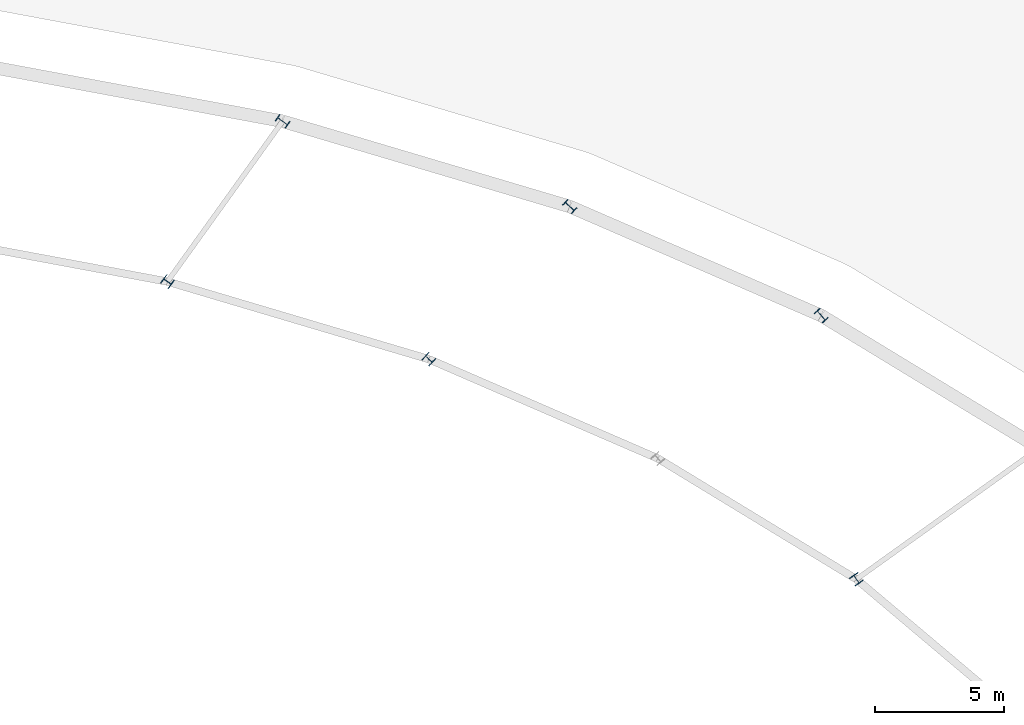
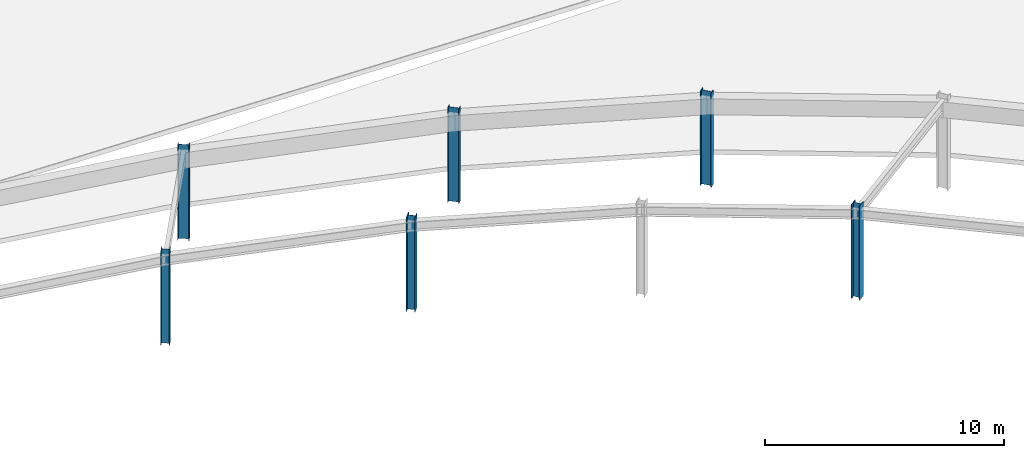
# One storey, part 11 of 45: 6 columns.
"""IFC4 building model written with IfcOpenShell, lengths in metres."""

from ifc_helpers import new_model, si_unit, direction, frame, origin, origin_2d, place, context, subcontext, project, spatial, i_section, extrude, material, material_profile, profile_set, type_object, element, save


model = new_model("IFC4")

# Units and contexts
model_context = context("Model", 3, precision=1e-05, world=origin(), true_north=direction((0.0, 1.0)))
body_context = subcontext(model_context, "Body", "Model", "MODEL_VIEW")
ifc_project = project(units=[si_unit("LENGTHUNIT", "METRE"), si_unit("AREAUNIT", "SQUARE_METRE"), si_unit("VOLUMEUNIT", "CUBIC_METRE"), si_unit("PLANEANGLEUNIT", "RADIAN"), si_unit("MASSUNIT", "GRAM", prefix="KILO")], contexts=[model_context])

# Site, building, storey
site_placement = place(None, origin())
site = spatial("IfcSite", under=ifc_project, at=site_placement, CompositionType="ELEMENT")
building_placement = place(site_placement, origin())
building = spatial("IfcBuilding", under=site, at=building_placement, Name="Mphavela Belvedere Stadium", CompositionType="ELEMENT")
storey_placement = place(building_placement, frame((0.0, 0.0, 24.0)))
storey = spatial("IfcBuildingStorey", under=building, at=storey_placement, Name="L05", CompositionType="ELEMENT", Elevation=24.0)

# Columns
ifc_material_1 = material(Name="Steel S355", Category="steel")
ifc_material_profile_1 = material_profile(ifc_material_1, i_section(OverallWidth=0.39501953125, OverallDepth=0.3798828125, WebThickness=0.0166015625, FlangeThickness=0.02587890625, at=origin_2d()), Name="HD 400x237")
ifc_profile_set_1 = profile_set([ifc_material_profile_1], Name="Steel S355")
column_type_1 = type_object("IfcColumnType", Name="COL-STEEL-HD400", PredefinedType="COLUMN", material=ifc_profile_set_1)
for number, where, z_axis, x_axis, name in (
    (1, (187.061279296875, 138.631591796875, 0.0), (0.0, 0.0, 1.0), (0.812897512265, 0.582406760395, 0.0), "Main bowl column L05 R3-07"),
    (2, (170.476318359375, 147.16796875, 0.0), (0.0, 0.0, 1.0), (0.677903094969, 0.735151272753, 0.0), "Main bowl column L05 R3-09"),
    (3, (160.337890625, 150.177490234375, 0.0), (0.0, 0.0, 1.0), (0.582974127943, 0.812490717577, 0.0), "Main bowl column L05 R3-10"),
):
    element("IfcColumn", number, at=place(storey_placement, frame(where, z_axis=z_axis, x_axis=x_axis)), inside=storey, type_object=column_type_1, Name=name, PredefinedType="COLUMN", context=body_context, shape_type="SweptSolid", body=[
        extrude(i_section(OverallWidth=0.39501953125, OverallDepth=0.3798828125, WebThickness=0.0166015625, FlangeThickness=0.02587890625, at=origin_2d()), origin(), (0.0, 0.0, 1.0), 4.800048828125),
    ])
ifc_material_2 = material(Name="Steel S355", Category="steel")
ifc_material_profile_2 = material_profile(ifc_material_2, i_section(OverallWidth=0.300048828125, OverallDepth=0.5, WebThickness=0.014404296875, FlangeThickness=0.028076171875, at=origin_2d()), Name="HEB 500")
ifc_profile_set_2 = profile_set([ifc_material_profile_2], Name="Steel S355")
column_type_2 = type_object("IfcColumnType", Name="COL-STEEL-HEB500", PredefinedType="COLUMN", material=ifc_profile_set_2)
for number, where, z_axis, x_axis, name in (
    (4, (185.6962890625, 148.86083984375, 0.0), (0.0, 0.0, 1.0), (0.752529860433, 0.658558128912, 0.0), "Outer colonnade column L05 R4-08"),
    (5, (175.9375, 153.09130859375, 0.0), (0.0, 0.0, 1.0), (0.677903094969, 0.735151272753, 0.0), "Outer colonnade column L05 R4-09"),
    (6, (164.80126953125, 156.39697265625, 0.0), (0.0, 0.0, 1.0), (0.582974127943, 0.812490717577, 0.0), "Outer colonnade column L05 R4-10"),
):
    element("IfcColumn", number, at=place(storey_placement, frame(where, z_axis=z_axis, x_axis=x_axis)), inside=storey, type_object=column_type_2, Name=name, PredefinedType="COLUMN", context=body_context, shape_type="SweptSolid", body=[
        extrude(i_section(OverallWidth=0.300048828125, OverallDepth=0.5, WebThickness=0.014404296875, FlangeThickness=0.028076171875, at=origin_2d()), origin(), (0.0, 0.0, 1.0), 4.800048828125),
    ])

save(model, "model.ifc")
